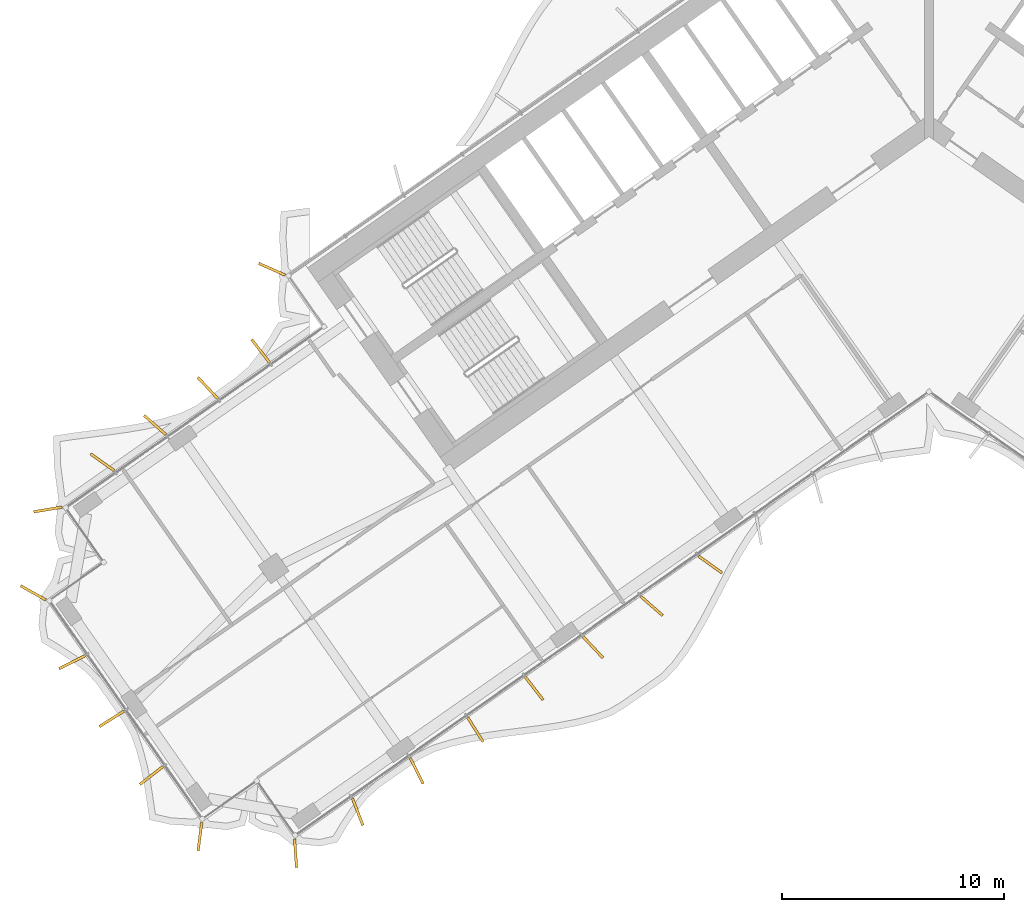
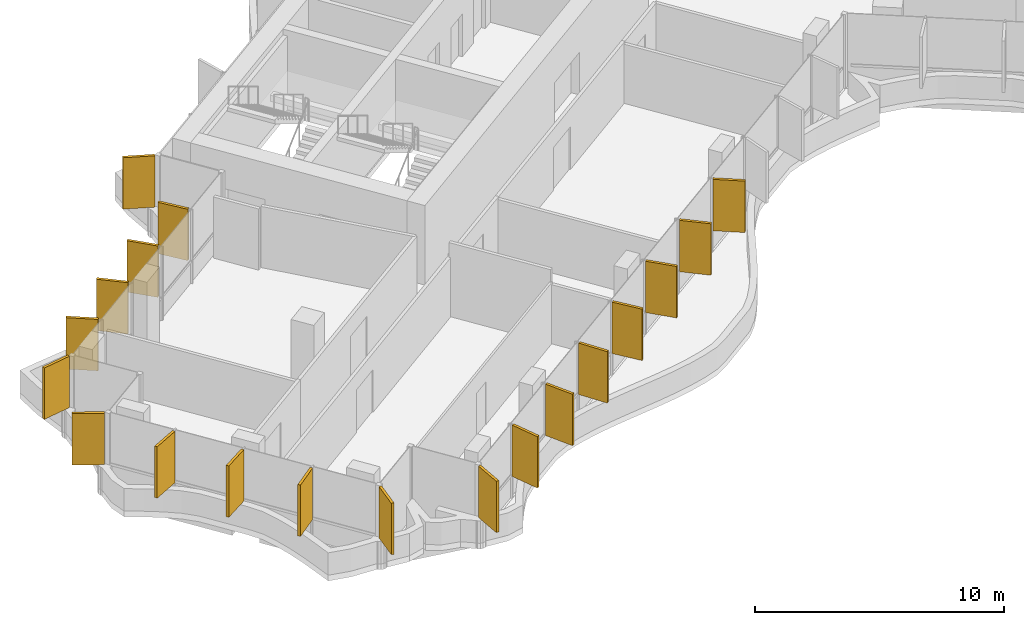
# One storey, part 17 of 21: 19 shading devices.
"""IFC4 building model written with IfcOpenShell, lengths in metres."""

import ifcopenshell
import ifcopenshell.guid

model = None  # the IFC model being written
_history = None  # IfcOwnerHistory: only IFC2X3 demands one
_inside = {}  # id of a spatial element -> (the spatial element, [elements in it])
_under = {}  # id of a project, library or spatial element -> (it, [spatial elements below it])
_declared = {}  # id of a project -> (the project, [libraries it declares])
_typed = {}  # id of a type object -> (the type object, [elements of that type])
_made_of = {}  # id of a material, layer set ... -> (it, [elements and type objects made of it])


def new_model(schema):
    """Start an empty IFC model of exactly this schema.

    Asked for "IFC4X3", IfcOpenShell would pick the latest addendum, in which some entities
    have other attributes; the version numbers below select the first issue.
    IFC2X3 requires an IfcOwnerHistory on every rooted entity: one is made here for all.
    """
    global model, _history
    if schema == "IFC4X3":
        model = ifcopenshell.file(schema_version=(4, 3, 0, 0))
    else:
        model = ifcopenshell.file(schema=schema)
    _inside.clear()
    _under.clear()
    _declared.clear()
    _typed.clear()
    _made_of.clear()
    _history = None
    if model.schema == "IFC2X3":
        org = make("IfcOrganization", Name="unknown")
        user = make(
            "IfcPersonAndOrganization",
            ThePerson=make("IfcPerson", FamilyName="unknown"),
            TheOrganization=org,
        )
        app = make(
            "IfcApplication",
            ApplicationDeveloper=org,
            Version="unknown",
            ApplicationFullName="unknown",
            ApplicationIdentifier="unknown",
        )
        _history = make(
            "IfcOwnerHistory",
            OwningUser=user,
            OwningApplication=app,
            ChangeAction="ADDED",
            CreationDate=0,
        )
    return model


def make(cls, **values):
    """One entity of the class cls with the attributes given. An attribute that is None is left unset."""
    return model.create_entity(
        cls, **{name: value for name, value in values.items() if value is not None}
    )


def rooted(cls, **values):
    """An entity with a GlobalId (a new one), such as an element, a storey or a relation."""
    return make(cls, GlobalId=ifcopenshell.guid.new(), OwnerHistory=_history, **values)


def si_unit(unit_type, name, prefix=None):
    """IfcSIUnit, for example si_unit("LENGTHUNIT", "METRE", prefix="MILLI")."""
    return make("IfcSIUnit", UnitType=unit_type, Prefix=prefix, Name=name)


def assignment(units):
    """IfcUnitAssignment: the units of a project."""
    return None if units is None else make("IfcUnitAssignment", Units=units)


def point(xyz):
    """IfcCartesianPoint."""
    return None if xyz is None else make("IfcCartesianPoint", Coordinates=xyz)


def direction(xyz):
    """IfcDirection."""
    return None if xyz is None else make("IfcDirection", DirectionRatios=xyz)


def frame(location, z_axis=None, x_axis=None):
    """IfcAxis2Placement3D, a coordinate frame: its origin and axes. An axis left out is left unset."""
    return make(
        "IfcAxis2Placement3D",
        Location=point(location),
        Axis=direction(z_axis),
        RefDirection=direction(x_axis),
    )


def frame_2d(location, x_axis=None):
    """IfcAxis2Placement2D, a coordinate frame in the plane: its origin and x axis."""
    return make(
        "IfcAxis2Placement2D", Location=point(location), RefDirection=direction(x_axis)
    )


def origin():
    """The frame at (0, 0, 0) with its axes left unset."""
    return frame((0.0, 0.0, 0.0))


def origin_2d():
    """The frame at (0, 0) in the plane with its x axis left unset."""
    return frame_2d((0.0, 0.0))


def place(relative_to, where):
    """IfcLocalPlacement: puts the frame where relative to a parent placement (None: the world)."""
    return make(
        "IfcLocalPlacement", PlacementRelTo=relative_to, RelativePlacement=where
    )


def context(
    kind, dimensions, precision=None, world=None, true_north=None, identifier=None
):
    """IfcGeometricRepresentationContext, for example the 3D "Model" context."""
    return make(
        "IfcGeometricRepresentationContext",
        ContextIdentifier=identifier,
        ContextType=kind,
        CoordinateSpaceDimension=dimensions,
        Precision=precision,
        WorldCoordinateSystem=world,
        TrueNorth=true_north,
    )


def subcontext(parent, identifier, kind, view, scale=None):
    """IfcGeometricRepresentationSubContext, for example "Body" below "Model"."""
    return make(
        "IfcGeometricRepresentationSubContext",
        ContextIdentifier=identifier,
        ContextType=kind,
        ParentContext=parent,
        TargetScale=scale,
        TargetView=view,
    )


def project(units=None, contexts=None):
    """IfcProject with its units and contexts."""
    return rooted(
        "IfcProject",
        Name="project",
        RepresentationContexts=contexts,
        UnitsInContext=assignment(units),
    )


def spatial(cls, under=None, at=None, **own):
    """A site, building, storey or space (cls), placed at a placement, below another one or the project."""
    s = rooted(cls, ObjectPlacement=at, **own)
    if under is not None:
        _under.setdefault(under.id(), (under, []))[1].append(s)
    return s


def profile(cls, at=None, kind="AREA", **sizes):
    """A parametric profile (cls). Its sizes go by their IFC names, for example OverallWidth=200.0."""
    return make(cls, ProfileType=kind, Position=at, **sizes)


def rectangle(**sizes):
    """IfcRectangleProfileDef."""
    return profile("IfcRectangleProfileDef", **sizes)


def extrude(swept, where, along, depth):
    """IfcExtrudedAreaSolid: the profile swept, set in the frame where, extruded along a direction by depth."""
    return make(
        "IfcExtrudedAreaSolid",
        SweptArea=swept,
        Position=where,
        ExtrudedDirection=direction(along),
        Depth=depth,
    )


def shape(context_of_items, identifier, shape_type, items):
    """IfcShapeRepresentation: the items that make up one representation, for example the "Body"."""
    return make(
        "IfcShapeRepresentation",
        ContextOfItems=context_of_items,
        RepresentationIdentifier=identifier,
        RepresentationType=shape_type,
        Items=items,
    )


def material(Name=None, Category=None):
    """IfcMaterial."""
    return make("IfcMaterial", Name=Name, Category=Category)


def layer(
    of_material, thickness, ventilated=None, Name=None, Category=None, Priority=None
):
    """IfcMaterialLayer: one layer of a wall or slab, of a material (None: an air gap)."""
    return make(
        "IfcMaterialLayer",
        Material=of_material,
        LayerThickness=thickness,
        IsVentilated=ventilated,
        Name=Name,
        Category=Category,
        Priority=Priority,
    )


def layer_set(layers, Name=None):
    """IfcMaterialLayerSet."""
    return make("IfcMaterialLayerSet", MaterialLayers=layers, LayerSetName=Name)


def made_of(thing, what):
    """Note that an element or type object is made of a material, layer set ...; save() writes the relation."""
    if what is not None:
        _made_of.setdefault(what.id(), (what, []))[1].append(thing)
    return thing


def type_object(cls, material=None, **own):
    """A type object (cls), such as IfcWallType, which elements share."""
    return made_of(rooted(cls, **own), material)


def element(
    cls,
    number,
    at=None,
    inside=None,
    cuts=None,
    type_object=None,
    material=None,
    context=None,
    identifier="Body",
    shape_type=None,
    held_by="IfcProductDefinitionShape",
    body=None,
    shapes=None,
    **own,
):
    """One element of the class cls, such as IfcWall. Its Tag is "e" and its number.

    at: its placement. inside: the storey or other place that contains it. cuts: it is an
    opening in that element (IfcRelVoidsElement). A single representation is given by context,
    identifier, shape_type and body (its items); several are given by shapes. held_by: the class
    of the entity that holds the representations. save() writes the other relations.
    """
    e = rooted(cls, Tag="e%d" % number, ObjectPlacement=at, **own)
    if body is not None:
        shapes = [shape(context, identifier, shape_type, body)]
    if shapes is not None:
        e.Representation = make(held_by, Representations=shapes)
    if inside is not None:
        _inside.setdefault(inside.id(), (inside, []))[1].append(e)
    if cuts is not None:
        rooted(
            "IfcRelVoidsElement", RelatingBuildingElement=cuts, RelatedOpeningElement=e
        )
    if type_object is not None:
        _typed.setdefault(type_object.id(), (type_object, []))[1].append(e)
    return made_of(e, material)


def aggregate(whole, parts):
    """IfcRelAggregates: a whole, such as a stair, and the parts it consists of."""
    return rooted("IfcRelAggregates", RelatingObject=whole, RelatedObjects=parts)


def save(model, path):
    """Write the relations noted so far, then the file.

    IfcRelAggregates (storeys below a building ...), IfcRelContainedInSpatialStructure (elements
    in a storey), IfcRelDefinesByType, IfcRelAssociatesMaterial and IfcRelDeclares: one each for
    every whole, place, type object, material and project.
    """
    for whole, parts in _under.values():
        aggregate(whole, parts)
    for where, things in _inside.values():
        rooted(
            "IfcRelContainedInSpatialStructure",
            RelatedElements=things,
            RelatingStructure=where,
        )
    for kind, things in _typed.values():
        rooted("IfcRelDefinesByType", RelatedObjects=things, RelatingType=kind)
    for what, things in _made_of.values():
        rooted("IfcRelAssociatesMaterial", RelatedObjects=things, RelatingMaterial=what)
    for by, libraries in _declared.values():
        rooted("IfcRelDeclares", RelatingContext=by, RelatedDefinitions=libraries)
    model.write(path)


model = new_model("IFC4")

# Units and contexts
model_context = context("Model", 3, precision=1e-05, world=origin(), true_north=direction((0.0, 1.0)))
body_context = subcontext(model_context, "Body", "Model", "MODEL_VIEW")
ifc_project = project(units=[si_unit("LENGTHUNIT", "METRE"), si_unit("AREAUNIT", "SQUARE_METRE"), si_unit("VOLUMEUNIT", "CUBIC_METRE"), si_unit("PLANEANGLEUNIT", "RADIAN"), si_unit("MASSUNIT", "GRAM", prefix="KILO")], contexts=[model_context])

# Site, building, storey
site_placement = place(None, origin())
site = spatial("IfcSite", under=ifc_project, at=site_placement, CompositionType="ELEMENT")
building_placement = place(site_placement, origin())
building = spatial("IfcBuilding", under=site, at=building_placement, Name="Tel Ilan Convention Tower", CompositionType="ELEMENT")
storey_placement = place(building_placement, frame((0.0, 0.0, 147.60009765625)))
storey = spatial("IfcBuildingStorey", under=building, at=storey_placement, Name="L33", CompositionType="ELEMENT", Elevation=147.60009765625)

# Shading devices
ifc_material = material(Name="Aluminium, bronze anodised", Category="aluminium")
ifc_layer = layer(ifc_material, 0.1201171875)
ifc_layer_set = layer_set([ifc_layer], Name="FIN BRONZE 1300x120")
shading_device_type = type_object("IfcShadingDeviceType", Name="FIN BRONZE 1300x120", PredefinedType="USERDEFINED", material=ifc_layer_set)
for number, where, z_axis, x_axis, name in (
    (1, (-29.56689453125, -7.193359375, 1.099853515625), (0.0, 0.0, 1.0), (-0.914332505315, 0.404964282034, 0.0), "FIN"),
    (2, (-30.078857421875, -10.865966796875, 1.099853515625), (0.0, 0.0, 1.0), (-0.612600545196, 0.790392669516, 0.0), "FIN"),
    (3, (-32.456298828125, -12.531005859375, 1.099853515625), (0.0, 0.0, 1.0), (-0.686241637865, 0.727373641577, 0.0), "FIN"),
    (4, (-34.82958984375, -14.20068359375, 1.099853515625), (0.0, 0.0, 1.0), (-0.753435896329, 0.657521368568, 0.0), "FIN"),
    (5, (-37.1982421875, -15.87451171875, 1.099853515625), (0.0, 0.0, 1.0), (-0.813552070258, 0.581492071294, 0.0), "FIN"),
    (6, (-39.64501953125, -18.000732421875, 1.099853515625), (0.0, 0.0, 1.0), (-0.986445172547, -0.16409119891, 0.0), "FIN"),
    (7, (-40.306640625, -21.752685546875, 1.099853515625), (0.0, 0.0, 1.0), (-0.870832754082, 0.491579408049, 0.0), "FIN"),
    (8, (-38.5595703125, -24.870361328125, 1.099853515625), (0.0, 0.0, 1.0), (-0.893632640321, -0.448799180206, 0.0), "FIN"),
    (9, (-36.7744140625, -27.42041015625, 1.099853515625), (0.0, 0.0, 1.0), (-0.845986425922, -0.533204432798, 0.0), "FIN"),
    (10, (-34.989013671875, -29.970458984375, 1.099853515625), (0.0, 0.0, 1.0), (-0.790392669516, -0.612600545196, 0.0), "FIN"),
    (11, (-32.805908203125, -32.716552734375, 1.099853515625), (0.0, 0.0, 1.0), (-0.125718016748, -0.992066016082, 0.0), "FIN"),
    (12, (-28.50390625, -33.46826171875, 1.099853515625), (0.0, 0.0, 1.0), (0.067821812994, -0.997697449973, 0.0), "FIN"),
    (13, (-25.70849609375, -31.606689453125, 1.099853515625), (0.0, 0.0, 1.0), (0.360177724803, -0.932883704733, 0.0), "FIN"),
    (14, (-23.05908203125, -29.759521484375, 1.099853515625), (0.0, 0.0, 1.0), (0.448799180206, -0.893632640321, 0.0), "FIN"),
    (15, (-20.41259765625, -27.90673828125, 1.099853515625), (0.0, 0.0, 1.0), (0.533204432798, -0.845986425922, 0.0), "FIN"),
    (16, (-17.765869140625, -26.053466796875, 1.099853515625), (0.0, 0.0, 1.0), (0.612600545196, -0.790392669516, 0.0), "FIN"),
    (17, (-15.11962890625, -24.2001953125, 1.099853515625), (0.0, 0.0, 1.0), (0.686241637865, -0.727373641577, 0.0), "FIN"),
    (18, (-12.4775390625, -22.34228515625, 1.099853515625), (0.0, 0.0, 1.0), (0.753435896329, -0.657521368568, 0.0), "FIN"),
    (19, (-9.84033203125, -20.48046875, 1.099853515625), (0.0, 0.0, 1.0), (0.813552070258, -0.581492071294, 0.0), "FIN"),
):
    element("IfcShadingDevice", number, at=place(storey_placement, frame(where, z_axis=z_axis, x_axis=x_axis)), inside=storey, type_object=shading_device_type, Name=name, ObjectType="FIN", PredefinedType="USERDEFINED", context=body_context, shape_type="SweptSolid", body=[
        extrude(rectangle(XDim=1.300048828125, YDim=0.1201171875, at=origin_2d()), origin(), (0.0, 0.0, 1.0), 2.52001953125),
    ])

save(model, "model.ifc")
